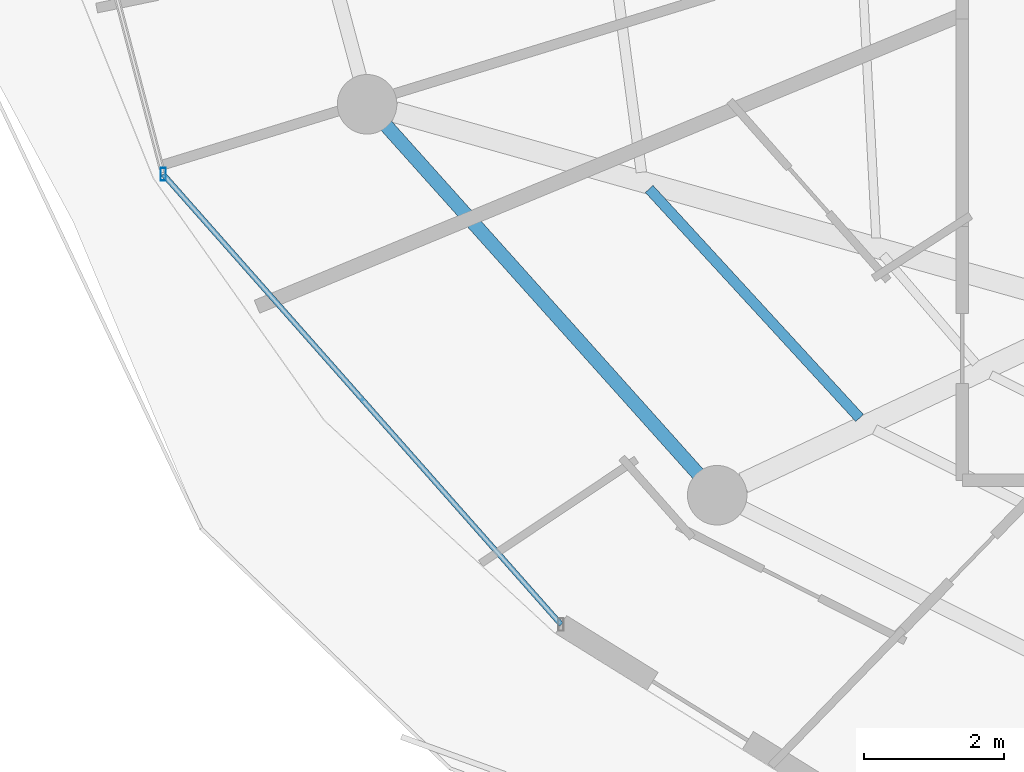
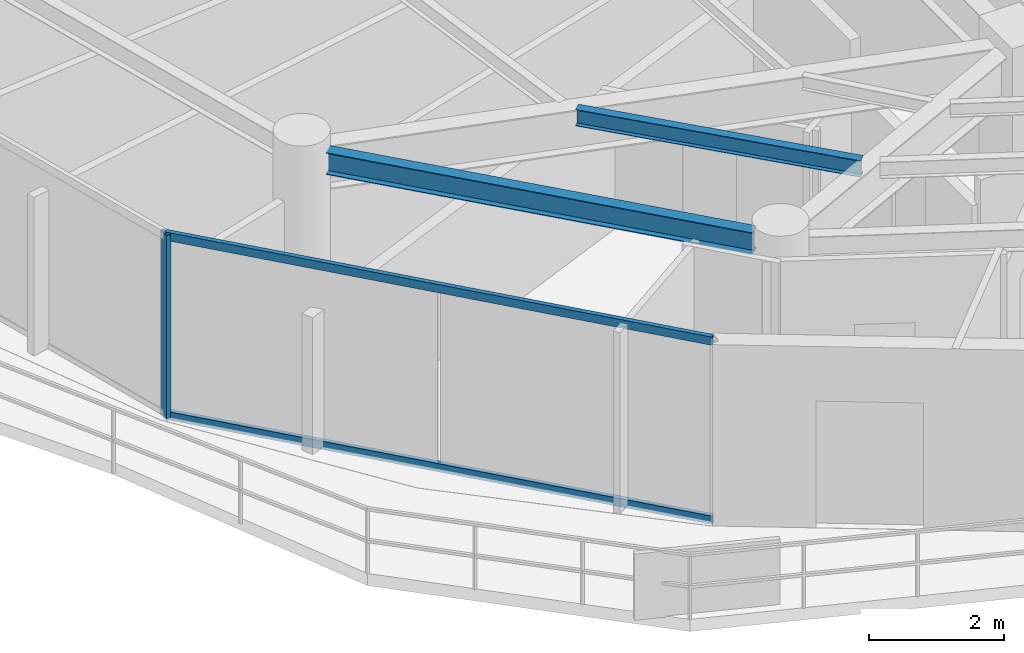
# One storey, part 3 of 30: 3 members, 2 beams, 1 element without a shape of its own.
"""IFC4 building model written with IfcOpenShell, lengths in metres."""

from ifc_helpers import new_model, si_unit, direction, frame, origin, origin_2d, place, context, subcontext, project, spatial, hollow_rectangle, i_section, extrude, material, material_profile, profile_set, type_object, element, aggregate, save


model = new_model("IFC4")

# Units and contexts
model_context = context("Model", 3, precision=1e-05, world=origin(), true_north=direction((0.0, 1.0)))
body_context = subcontext(model_context, "Body", "Model", "MODEL_VIEW")
ifc_project = project(units=[si_unit("LENGTHUNIT", "METRE"), si_unit("AREAUNIT", "SQUARE_METRE"), si_unit("VOLUMEUNIT", "CUBIC_METRE"), si_unit("PLANEANGLEUNIT", "RADIAN"), si_unit("MASSUNIT", "GRAM", prefix="KILO")], contexts=[model_context])

# Site, building, storey
site_placement = place(None, origin())
site = spatial("IfcSite", under=ifc_project, at=site_placement, CompositionType="ELEMENT")
building_placement = place(site_placement, origin())
building = spatial("IfcBuilding", under=site, at=building_placement, Name="Vorneva Point Tower", CompositionType="ELEMENT")
storey_placement = place(building_placement, frame((0.0, 0.0, 252.0)))
storey = spatial("IfcBuildingStorey", under=building, at=storey_placement, Name="L68", CompositionType="ELEMENT", Elevation=252.0)

# Beams
ifc_material_1 = material(Name="Steel S355", Category="steel")
ifc_material_profile_1 = material_profile(ifc_material_1, i_section(OverallWidth=0.14892578125, OverallDepth=0.298095703125, WebThickness=0.005615234375, FlangeThickness=0.008056640625, at=origin_2d()), Name="30B1")
ifc_profile_set_1 = profile_set([ifc_material_profile_1], Name="Steel S355")
beam_type_1 = type_object("IfcBeamType", Name="BM-JST-30B1", PredefinedType="JOIST", material=ifc_profile_set_1)
beam_1_placement = place(storey_placement, frame((20.73095703125, 18.209228515625, 3.14111328125), z_axis=(0.676496329172, -0.736446003871, 0.0), x_axis=(0.736446003871, 0.676496329172, 0.0)))
element("IfcBeam", 1, at=beam_1_placement, inside=storey, type_object=beam_type_1, Name="L68 Secondary Floor Beam 1.10", PredefinedType="JOIST", context=body_context, shape_type="SweptSolid", body=[
    extrude(i_section(OverallWidth=0.14892578125, OverallDepth=0.298095703125, WebThickness=0.005615234375, FlangeThickness=0.008056640625, at=origin_2d()), origin(), (0.0, 0.0, 1.0), 4.43896484375),
])
ifc_material_profile_2 = material_profile(ifc_material_1, i_section(OverallWidth=0.198974609375, OverallDepth=0.39599609375, WebThickness=0.007080078125, FlangeThickness=0.010986328125, at=origin_2d()), Name="40B1")
ifc_profile_set_2 = profile_set([ifc_material_profile_2], Name="Steel S355")
beam_type_2 = type_object("IfcBeamType", Name="BM-SPN-40B1", PredefinedType="SPANDREL", material=ifc_profile_set_2)
beam_2_placement = place(storey_placement, frame((16.97802734375, 19.1123046875, 3.092041015625), z_axis=(0.667108282638, -0.744960763554, 0.0), x_axis=(0.744960763554, 0.667108282638, 0.0)))
element("IfcBeam", 2, at=beam_2_placement, inside=storey, type_object=beam_type_2, Name="L68 Perimeter Spandrel Ring Beam 10", PredefinedType="SPANDREL", context=body_context, shape_type="SweptSolid", body=[
    extrude(i_section(OverallWidth=0.198974609375, OverallDepth=0.39599609375, WebThickness=0.007080078125, FlangeThickness=0.010986328125, at=origin_2d()), origin(), (0.0, 0.0, 1.0), 6.670166015625),
])

# Curtain wall, members
ifc_material_2 = material(Name="Pale anodised aluminium", Category="aluminium")
curtain_wall_type = type_object("IfcCurtainWallType", Name="CW-RES-SYS", PredefinedType="NOTDEFINED", material=ifc_material_2)
curtain_wall_placement = place(storey_placement, origin())
curtain_wall = element("IfcCurtainWall", 3, at=curtain_wall_placement, inside=storey, type_object=curtain_wall_type, Name="L68 Unitised Curtain Wall CW-L68-R03", PredefinedType="NOTDEFINED")
ifc_material_profile_3 = material_profile(ifc_material_2, hollow_rectangle(XDim=0.074951171875, YDim=0.179931640625, WallThickness=0.00390625, at=origin_2d()), Name="AL-MUL 180x75x4")
ifc_profile_set_3 = profile_set([ifc_material_profile_3], Name="Pale anodised aluminium")
member_type_1 = type_object("IfcMemberType", Name="CW-MUL-180", PredefinedType="MULLION", material=ifc_profile_set_3)
member_1_placement = place(storey_placement, frame((13.79443359375, 18.4189453125, -0.0400390625), z_axis=(0.0, 0.0, 1.0), x_axis=(1.0, 0.0, 0.0)))
member_1 = element("IfcMember", 4, at=member_1_placement, type_object=member_type_1, Name="CW-L68-R03 Mullion 04", PredefinedType="MULLION", context=body_context, shape_type="SweptSolid", body=[
    extrude(hollow_rectangle(XDim=0.074951171875, YDim=0.179931640625, WallThickness=0.00390625, at=origin_2d()), origin(), (0.0, 0.0, 1.0), 3.360107421875),
])
ifc_material_profile_4 = material_profile(ifc_material_2, hollow_rectangle(XDim=0.074951171875, YDim=0.14990234375, WallThickness=0.00390625, at=origin_2d()), Name="AL-TRN 150x75x4")
ifc_profile_set_4 = profile_set([ifc_material_profile_4], Name="Pale anodised aluminium")
member_type_2 = type_object("IfcMemberType", Name="CW-TRN-150", PredefinedType="USERDEFINED", material=ifc_profile_set_4)
member_2_placement = place(storey_placement, frame((13.79443359375, 18.4189453125, 0.02001953125), z_axis=(0.662196681357, -0.74933007093, 0.0), x_axis=(0.74933007093, 0.662196681357, 0.0)))
member_2 = element("IfcMember", 5, at=member_2_placement, type_object=member_type_2, Name="CW-L68-R03 Transom 04.1", ObjectType="TRANSOM", PredefinedType="USERDEFINED", context=body_context, shape_type="SweptSolid", body=[
    extrude(hollow_rectangle(XDim=0.074951171875, YDim=0.14990234375, WallThickness=0.00390625, at=origin_2d()), origin(), (0.0, 0.0, 1.0), 8.57666015625),
])
member_3_placement = place(storey_placement, frame((13.79443359375, 18.4189453125, 3.27001953125), z_axis=(0.662196681357, -0.74933007093, 0.0), x_axis=(0.74933007093, 0.662196681357, 0.0)))
member_3 = element("IfcMember", 6, at=member_3_placement, type_object=member_type_2, Name="CW-L68-R03 Transom 04.2", ObjectType="TRANSOM", PredefinedType="USERDEFINED", context=body_context, shape_type="SweptSolid", body=[
    extrude(hollow_rectangle(XDim=0.074951171875, YDim=0.14990234375, WallThickness=0.00390625, at=origin_2d()), origin(), (0.0, 0.0, 1.0), 8.57666015625),
])
aggregate(curtain_wall, [member_1, member_2, member_3])

save(model, "model.ifc")
